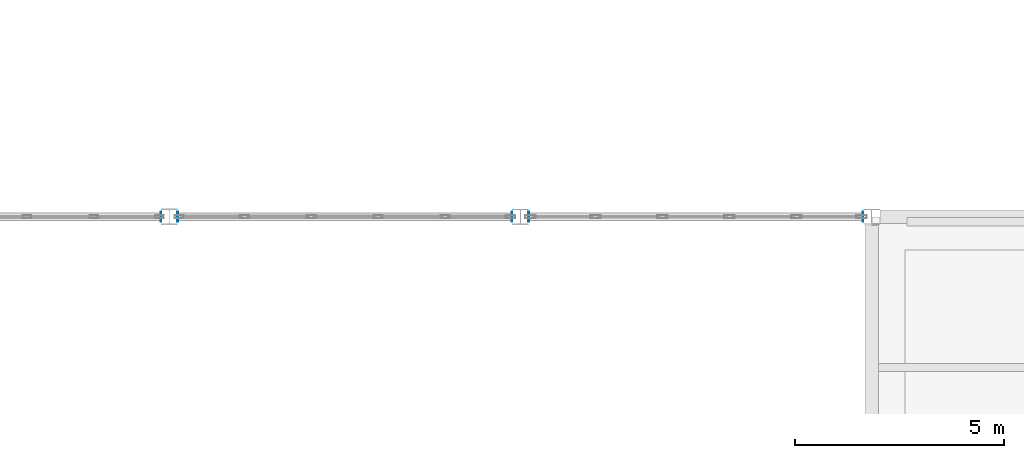
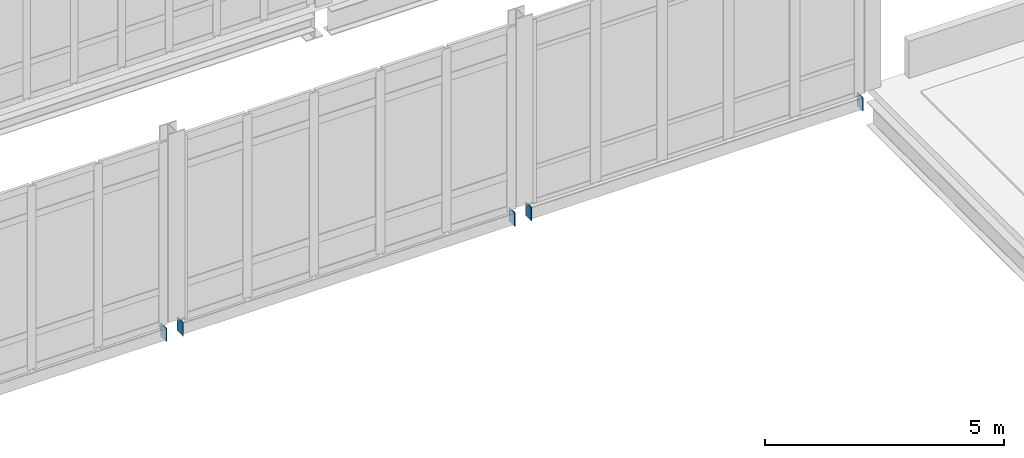
# One storey, part 135 of 186: 5 plates.
"""IFC4 building model written with IfcOpenShell, lengths in metres."""

from ifc_helpers import new_model, si_unit, direction, frame, origin, origin_2d, place, context, subcontext, project, spatial, rectangle, extrude, material, layer, layer_set, type_object, element, save


model = new_model("IFC4")

# Units and contexts
model_context = context("Model", 3, precision=1e-05, world=origin(), true_north=direction((0.0, 1.0)))
body_context = subcontext(model_context, "Body", "Model", "MODEL_VIEW")
ifc_project = project(units=[si_unit("LENGTHUNIT", "METRE"), si_unit("AREAUNIT", "SQUARE_METRE"), si_unit("VOLUMEUNIT", "CUBIC_METRE"), si_unit("PLANEANGLEUNIT", "RADIAN"), si_unit("MASSUNIT", "GRAM", prefix="KILO")], contexts=[model_context])

# Site, building, storey
site_placement = place(None, origin())
site = spatial("IfcSite", under=ifc_project, at=site_placement, CompositionType="ELEMENT")
building_placement = place(site_placement, origin())
building = spatial("IfcBuilding", under=site, at=building_placement, Name="Calvrana Isthmian Art Gallery", CompositionType="ELEMENT")
storey_placement = place(building_placement, frame((0.0, 0.0, 5.39990234375)))
storey = spatial("IfcBuildingStorey", under=building, at=storey_placement, Name="L01", CompositionType="ELEMENT", Elevation=5.39990234375)

# Plates
ifc_material = material(Name="Steel ASTM A572 Gr 50", Category="steel")
ifc_layer = layer(ifc_material, 0.01611328125, Name="Steel ASTM A572 Gr 50")
ifc_layer_set = layer_set([ifc_layer], Name="Steel ASTM A572 Gr 50")
plate_type = type_object("IfcPlateType", Name="PL-CAP-16", PredefinedType="SHEET", material=ifc_layer_set)
for number, where, z_axis, x_axis, name in (
    (1, (46.599609375, 21.60009765625, -0.522216796875), (0.0, 0.0, 1.0), (1.0, 0.0, 0.0), "Hollow section end cap plate 543"),
    (2, (47.00048828125, 21.60009765625, -0.522216796875), (0.0, 0.0, 1.0), (1.0, 0.0, 0.0), "Hollow section end cap plate 544"),
    (3, (55.00048828125, 21.60009765625, -0.522216796875), (0.0, 0.0, 1.0), (1.0, 0.0, 0.0), "Hollow section end cap plate 545"),
    (4, (55.3994140625, 21.60009765625, -0.522216796875), (0.0, 0.0, 1.0), (1.0, 0.0, 0.0), "Hollow section end cap plate 546"),
    (5, (63.39794921875, 21.60009765625, -0.522216796875), (0.0, 0.0, 1.0), (1.0, 0.0, 0.0), "Hollow section end cap plate 547"),
):
    element("IfcPlate", number, at=place(storey_placement, frame(where, z_axis=z_axis, x_axis=x_axis)), inside=storey, type_object=plate_type, Name=name, PredefinedType="SHEET", context=body_context, shape_type="SweptSolid", body=[
        extrude(rectangle(XDim=0.01611328125, YDim=0.2431640625, at=origin_2d()), origin(), (0.0, 0.0, 1.0), 0.3447265625),
    ])

save(model, "model.ifc")
